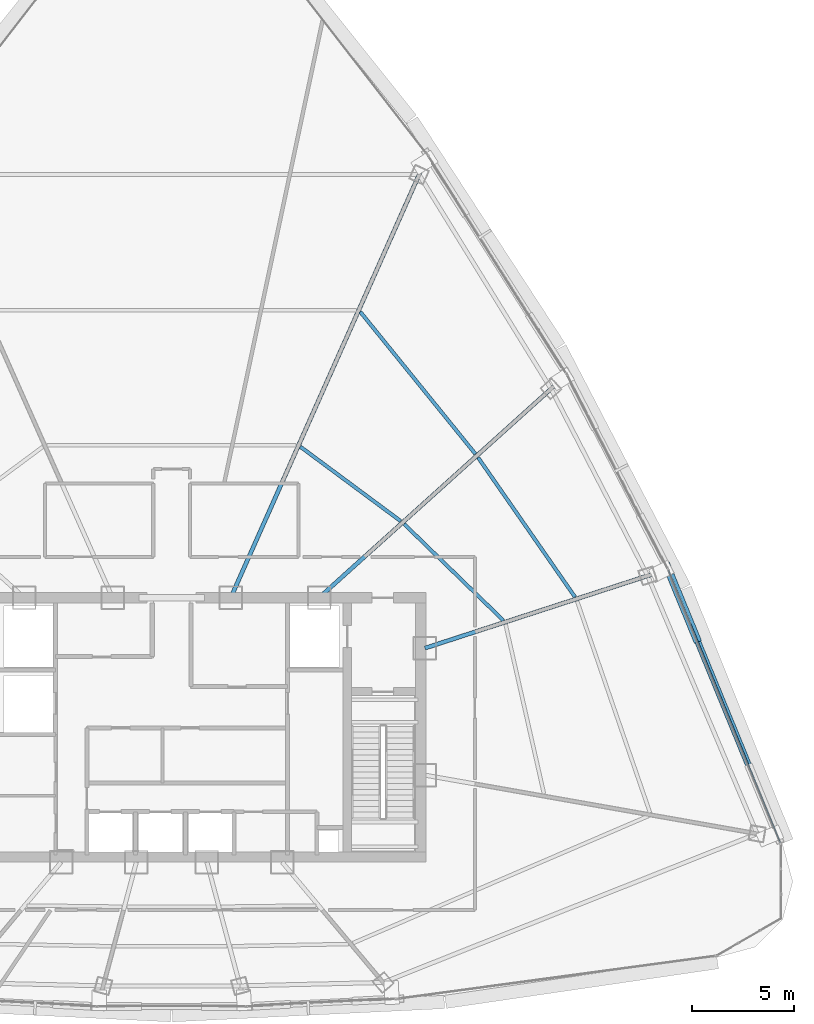
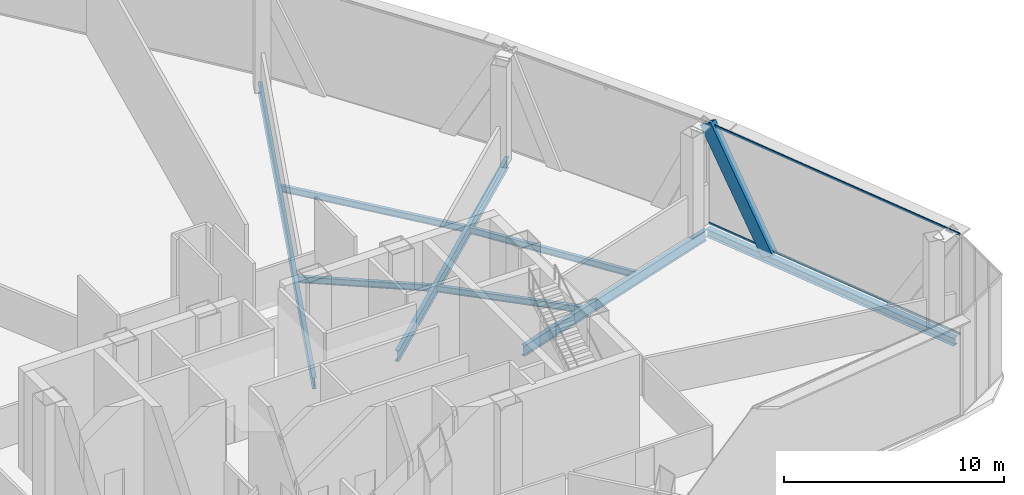
# One storey, part 17 of 33: 8 beams, 3 members, 1 element without a shape of its own.
"""IFC4 building model written with IfcOpenShell, lengths in metres."""

from ifc_helpers import new_model, si_unit, direction, frame, origin, origin_2d, place, context, subcontext, project, spatial, hollow_rectangle, i_section, extrude, source, transform, mapped, material, layer, layer_set, material_profile, profile_set, type_object, element, aggregate, save


model = new_model("IFC4")

# Units and contexts
model_context = context("Model", 3, precision=1e-05, world=origin(), true_north=direction((0.0, 1.0)))
body_context = subcontext(model_context, "Body", "Model", "MODEL_VIEW")
ifc_project = project(units=[si_unit("LENGTHUNIT", "METRE"), si_unit("AREAUNIT", "SQUARE_METRE"), si_unit("VOLUMEUNIT", "CUBIC_METRE"), si_unit("PLANEANGLEUNIT", "RADIAN"), si_unit("MASSUNIT", "GRAM", prefix="KILO"), si_unit("THERMODYNAMICTEMPERATUREUNIT", "KELVIN"), si_unit("POWERUNIT", "WATT")], contexts=[model_context])

# Site, building, storey
site_placement = place(None, origin())
site = spatial("IfcSite", under=ifc_project, at=site_placement, CompositionType="ELEMENT")
building_placement = place(site_placement, origin())
building = spatial("IfcBuilding", under=site, at=building_placement, Name="Yunzhuo Pagoda Commons", CompositionType="ELEMENT")
storey_placement = place(building_placement, frame((0.0, 0.0, 314.860107421875)))
storey = spatial("IfcBuildingStorey", under=building, at=storey_placement, Name="L79", CompositionType="ELEMENT", Elevation=314.860107421875)

# Beams
ifc_material_1 = material(Name="Structural steel Q355B", Category="steel")
ifc_material_profile_1 = material_profile(ifc_material_1, i_section(OverallWidth=0.175048828125, OverallDepth=0.35009765625, WebThickness=0.007080078125, FlangeThickness=0.010986328125, at=origin_2d()), Name="Structural steel Q355B")
ifc_profile_set_1 = profile_set([ifc_material_profile_1], Name="Structural steel Q355B")
beam_type_1 = type_object("IfcBeamType", Name="B-JS2 Joist HN 350x175x7x11", PredefinedType="JOIST", material=ifc_profile_set_1)
shared_shape_1 = source(origin(), body_context, "Body", "SweptSolid", [
    extrude(i_section(OverallWidth=0.175048828125, OverallDepth=0.35009765625, WebThickness=0.007080078125, FlangeThickness=0.010986328125, at=origin_2d()), origin(), (0.0, 0.0, 1.0), 6.767333984375),
])
beam_1_placement = place(storey_placement, frame((64.242431640625, 39.08447265625, -0.43505859375), z_axis=(-0.717207253673, 0.696859925149, 0.0), x_axis=(-0.696859925149, -0.717207253673, 0.0)))
element("IfcBeam", 1, at=beam_1_placement, inside=storey, type_object=beam_type_1, Name="L79 composite ring joist 1.6", PredefinedType="JOIST", context=body_context, shape_type="MappedRepresentation", body=[
    mapped(shared_shape_1, transform((0.0, 0.0, 0.0), scale=1.0)),
])
shared_shape_2 = source(origin(), body_context, "Body", "SweptSolid", [
    extrude(i_section(OverallWidth=0.175048828125, OverallDepth=0.35009765625, WebThickness=0.007080078125, FlangeThickness=0.010986328125, at=origin_2d()), origin(), (0.0, 0.0, 1.0), 8.31103515625),
])
beam_2_placement = place(storey_placement, frame((67.748046875, 40.232421875, -0.43505859375), z_axis=(-0.570615989364, 0.821217019236, 0.0), x_axis=(-0.821217019236, -0.570615989364, 0.0)))
element("IfcBeam", 2, at=beam_2_placement, inside=storey, type_object=beam_type_1, Name="L79 composite ring joist 2.6", PredefinedType="JOIST", context=body_context, shape_type="MappedRepresentation", body=[
    mapped(shared_shape_2, transform((0.0, 0.0, 0.0), scale=1.0)),
])
shared_shape_3 = source(origin(), body_context, "Body", "SweptSolid", [
    extrude(i_section(OverallWidth=0.175048828125, OverallDepth=0.35009765625, WebThickness=0.007080078125, FlangeThickness=0.010986328125, at=origin_2d()), origin(), (0.0, 0.0, 1.0), 6.109619140625),
])
beam_3_placement = place(storey_placement, frame((59.214111328125, 43.948974609375, -0.43505859375), z_axis=(-0.803396474468, 0.595444459888, 0.0), x_axis=(-0.595444459888, -0.803396474468, 0.0)))
element("IfcBeam", 3, at=beam_3_placement, inside=storey, type_object=beam_type_1, Name="L79 composite ring joist 1.7", PredefinedType="JOIST", context=body_context, shape_type="MappedRepresentation", body=[
    mapped(shared_shape_3, transform((0.0, 0.0, 0.0), scale=1.0)),
])
shared_shape_4 = source(origin(), body_context, "Body", "SweptSolid", [
    extrude(i_section(OverallWidth=0.175048828125, OverallDepth=0.35009765625, WebThickness=0.007080078125, FlangeThickness=0.010986328125, at=origin_2d()), origin(), (0.0, 0.0, 1.0), 8.9462890625),
])
beam_4_placement = place(storey_placement, frame((62.867431640625, 47.2412109375, -0.43505859375), z_axis=(-0.629455685791, 0.777036382434, 0.0), x_axis=(-0.777036382434, -0.629455685791, 0.0)))
element("IfcBeam", 4, at=beam_4_placement, inside=storey, type_object=beam_type_1, Name="L79 composite ring joist 2.7", PredefinedType="JOIST", context=body_context, shape_type="MappedRepresentation", body=[
    mapped(shared_shape_4, transform((0.0, 0.0, 0.0), scale=1.0)),
])
ifc_material_profile_2 = material_profile(ifc_material_1, i_section(OverallWidth=0.199951171875, OverallDepth=0.60009765625, WebThickness=0.010986328125, FlangeThickness=0.01708984375, at=origin_2d()), Name="Structural steel Q355B")
ifc_profile_set_2 = profile_set([ifc_material_profile_2], Name="Structural steel Q355B")
beam_type_2 = type_object("IfcBeamType", Name="B-RG3 Beam HN 600x200x11x17", PredefinedType="BEAM", material=ifc_profile_set_2)
shared_shape_5 = source(origin(), body_context, "Body", "SweptSolid", [
    extrude(i_section(OverallWidth=0.199951171875, OverallDepth=0.60009765625, WebThickness=0.010986328125, FlangeThickness=0.01708984375, at=origin_2d()), origin(), (0.0, 0.0, 1.0), 12.35888671875),
])
beam_5_placement = place(storey_placement, frame((72.15380859375, 41.548095703125, -0.56005859375), z_axis=(-0.951056132281, -0.309018176248, 0.0), x_axis=(0.309018176248, -0.951056132281, 0.0)))
element("IfcBeam", 5, at=beam_5_placement, inside=storey, type_object=beam_type_2, Name="L79 radial floor girder F2C2", PredefinedType="BEAM", context=body_context, shape_type="MappedRepresentation", body=[
    mapped(shared_shape_5, transform((0.0, 0.0, 0.0), scale=1.0)),
])
shared_shape_6 = source(origin(), body_context, "Body", "SweptSolid", [
    extrude(i_section(OverallWidth=0.199951171875, OverallDepth=0.60009765625, WebThickness=0.010986328125, FlangeThickness=0.01708984375, at=origin_2d()), origin(), (0.0, 0.0, 1.0), 16.173583984375),
])
beam_6_placement = place(storey_placement, frame((67.23828125, 51.022216796875, -0.56005859375), z_axis=(-0.743143260476, -0.669132344465, 0.0), x_axis=(0.669132344465, -0.743143260476, 0.0)))
element("IfcBeam", 6, at=beam_6_placement, inside=storey, type_object=beam_type_2, Name="L79 radial floor girder F2C3", PredefinedType="BEAM", context=body_context, shape_type="MappedRepresentation", body=[
    mapped(shared_shape_6, transform((0.0, 0.0, 0.0), scale=1.0)),
])
shared_shape_7 = source(origin(), body_context, "Body", "SweptSolid", [
    extrude(i_section(OverallWidth=0.199951171875, OverallDepth=0.60009765625, WebThickness=0.010986328125, FlangeThickness=0.01708984375, at=origin_2d()), origin(), (0.0, 0.0, 1.0), 23.564208984375),
])
beam_7_placement = place(storey_placement, frame((60.478515625, 61.726806640625, -0.56005859375), z_axis=(-0.406740152773, -0.913543895017, 0.0), x_axis=(0.913543895017, -0.406740152773, 0.0)))
element("IfcBeam", 7, at=beam_7_placement, inside=storey, type_object=beam_type_2, Name="L79 radial floor girder F2C4", PredefinedType="BEAM", context=body_context, shape_type="MappedRepresentation", body=[
    mapped(shared_shape_7, transform((0.0, 0.0, 0.0), scale=1.0)),
])
ifc_material_profile_3 = material_profile(ifc_material_1, i_section(OverallWidth=0.300048828125, OverallDepth=0.43994140625, WebThickness=0.010986328125, FlangeThickness=0.01806640625, at=origin_2d()), Name="Structural steel Q355B")
ifc_profile_set_3 = profile_set([ifc_material_profile_3], Name="Structural steel Q355B")
beam_type_3 = type_object("IfcBeamType", Name="B-SP2 Beam HM 440x300x11x18", PredefinedType="BEAM", material=ifc_profile_set_3)
shared_shape_8 = source(origin(), body_context, "Body", "SweptSolid", [
    extrude(i_section(OverallWidth=0.300048828125, OverallDepth=0.43994140625, WebThickness=0.010986328125, FlangeThickness=0.01806640625, at=origin_2d()), origin(), (0.0, 0.0, 1.0), 14.197021484375),
])
beam_8_placement = place(storey_placement, frame((77.69580078125, 28.4638671875, -0.480224609375), z_axis=(-0.379993738973, 0.924989058498, 0.0), x_axis=(-0.924989058498, -0.379993738973, 0.0)))
element("IfcBeam", 8, at=beam_8_placement, inside=storey, type_object=beam_type_3, Name="L79 facade edge spandrel beam F2.1", PredefinedType="BEAM", context=body_context, shape_type="MappedRepresentation", body=[
    mapped(shared_shape_8, transform((0.0, 0.0, 0.0), scale=1.0)),
])

# Member
ifc_material_profile_4 = material_profile(ifc_material_1, hollow_rectangle(XDim=0.3798828125, YDim=0.719970703125, WallThickness=0.02001953125, at=origin_2d()), Name="Structural steel Q355B")
ifc_profile_set_4 = profile_set([ifc_material_profile_4], Name="Structural steel Q355B")
member_type_1 = type_object("IfcMemberType", Name="M-DL3 Brace BOX 720x380x20", PredefinedType="BRACE", material=ifc_profile_set_4)
shared_shape_9 = source(origin(), body_context, "Body", "SweptSolid", [
    extrude(hollow_rectangle(XDim=0.3798828125, YDim=0.719970703125, WallThickness=0.02001953125, at=origin_2d()), origin(), (0.0, 0.0, 1.0), 6.8251953125),
])
member_1_placement = place(storey_placement, frame((73.649658203125, 38.31298828125, -0.260009765625), z_axis=(-0.197595579186, 0.481004300022, 0.854160904307), x_axis=(-0.924992619868, -0.379985069692, 0.0)))
element("IfcMember", 9, at=member_1_placement, inside=storey, type_object=member_type_1, Name="L79 facade diamond brace F2.1R", PredefinedType="BRACE", context=body_context, shape_type="MappedRepresentation", body=[
    mapped(shared_shape_9, transform((0.0, 0.0, 0.0), scale=1.0)),
])

# Curtain wall, members
ifc_material_2 = material(Name="Anodized aluminium 6063-T6", Category="aluminium")
ifc_layer = layer(ifc_material_2, 0.139892578125)
ifc_layer_set = layer_set([ifc_layer], Name="Anodized aluminium 6063-T6")
curtain_wall_type = type_object("IfcCurtainWallType", Name="CW-HI High-Zone Ribbon Curtain Wall", PredefinedType="NOTDEFINED", material=ifc_layer_set)
curtain_wall_placement = place(storey_placement, origin())
curtain_wall = element("IfcCurtainWall", 10, at=curtain_wall_placement, inside=storey, type_object=curtain_wall_type, Name="L79 curtain wall CW-L79-F2B2", PredefinedType="NOTDEFINED")
ifc_material_profile_5 = material_profile(ifc_material_2, hollow_rectangle(XDim=0.054931640625, YDim=0.1201171875, WallThickness=0.00341796875, at=origin_2d()), Name="Anodized aluminium 6063-T6")
ifc_profile_set_5 = profile_set([ifc_material_profile_5], Name="Anodized aluminium 6063-T6")
member_type_2 = type_object("IfcMemberType", Name="CW-HI-T Transom RHS 120x55x3.5", PredefinedType="USERDEFINED", material=ifc_profile_set_5)
shared_shape_10 = source(origin(), body_context, "Body", "SweptSolid", [
    extrude(hollow_rectangle(XDim=0.054931640625, YDim=0.1201171875, WallThickness=0.00341796875, at=origin_2d()), origin(), (0.0, 0.0, 1.0), 14.41357421875),
])
member_2_placement = place(storey_placement, frame((77.801513671875, 28.2080078125, 0.02734375), z_axis=(-0.380024704632, 0.924976336924, 0.0), x_axis=(-0.924976336924, -0.380024704632, 0.0)))
member_2 = element("IfcMember", 11, at=member_2_placement, type_object=member_type_2, Name="CW transom 1.1", ObjectType="TRANSOM", PredefinedType="USERDEFINED", context=body_context, shape_type="MappedRepresentation", body=[
    mapped(shared_shape_10, transform((0.0, 0.0, 0.0), scale=1.0)),
])
member_3_placement = place(storey_placement, frame((77.801513671875, 28.2080078125, 5.54248046875), z_axis=(-0.380024704632, 0.924976336924, 0.0), x_axis=(-0.924976336924, -0.380024704632, 0.0)))
member_3 = element("IfcMember", 12, at=member_3_placement, type_object=member_type_2, Name="CW transom 1.2", ObjectType="TRANSOM", PredefinedType="USERDEFINED", context=body_context, shape_type="MappedRepresentation", body=[
    mapped(shared_shape_10, transform((0.0, 0.0, 0.0), scale=1.0)),
])
aggregate(curtain_wall, [member_2, member_3])

save(model, "model.ifc")
